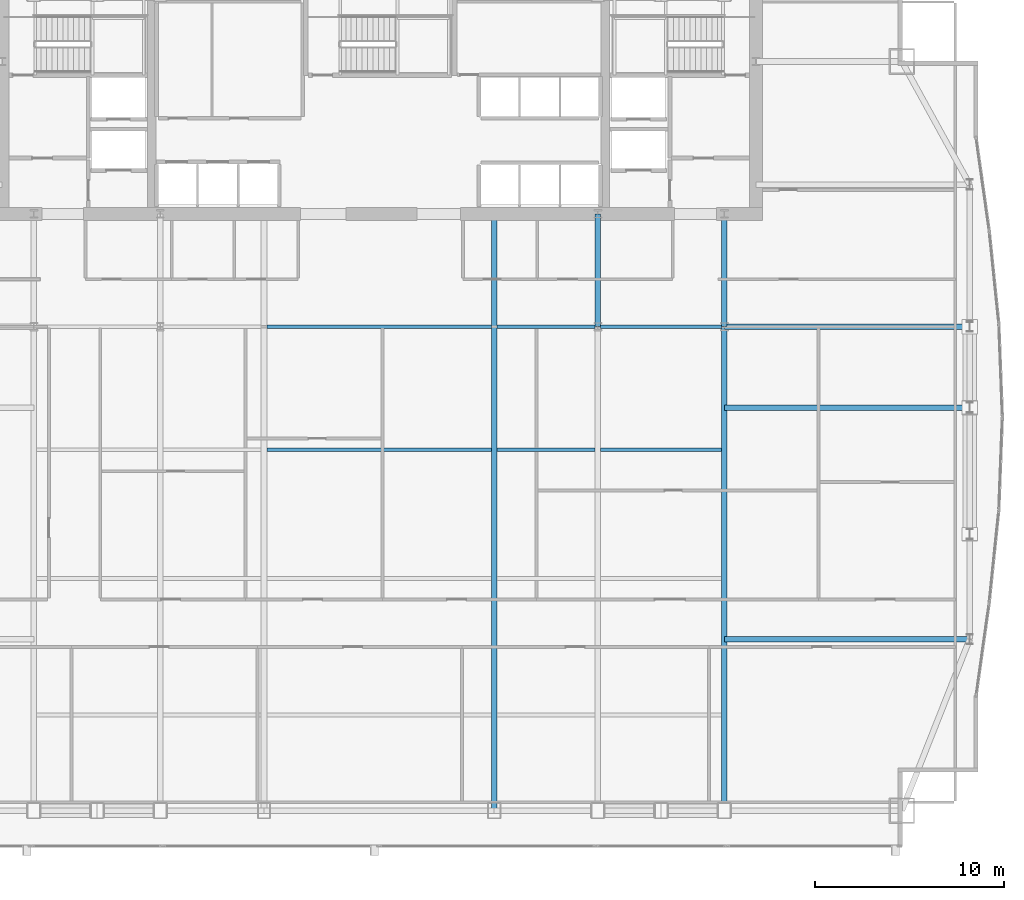
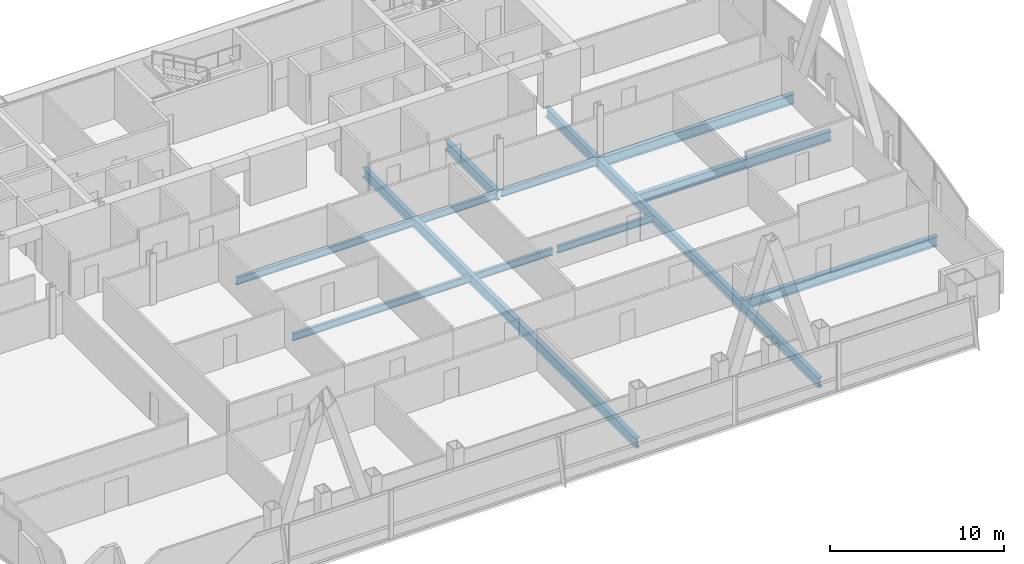
# One storey, part 16 of 30: 13 beams.
"""IFC4 building model written with IfcOpenShell, lengths in metres."""

from ifc_helpers import new_model, si_unit, direction, frame, origin, origin_2d, place, context, subcontext, project, spatial, i_section, extrude, material, material_profile, profile_set, type_object, element, save


model = new_model("IFC4")

# Units and contexts
model_context = context("Model", 3, precision=1e-05, world=origin(), true_north=direction((0.0, 1.0)))
body_context = subcontext(model_context, "Body", "Model", "MODEL_VIEW")
ifc_project = project(units=[si_unit("LENGTHUNIT", "METRE"), si_unit("AREAUNIT", "SQUARE_METRE"), si_unit("VOLUMEUNIT", "CUBIC_METRE"), si_unit("PLANEANGLEUNIT", "RADIAN"), si_unit("MASSUNIT", "GRAM", prefix="KILO")], contexts=[model_context])

# Site, building, storey
site_placement = place(None, origin())
site = spatial("IfcSite", under=ifc_project, at=site_placement, CompositionType="ELEMENT")
building_placement = place(site_placement, origin())
building = spatial("IfcBuilding", under=site, at=building_placement, Name="Khoronbel Lancet Exchange", CompositionType="ELEMENT")
storey_placement = place(building_placement, frame((0.0, 0.0, 147.0)))
storey = spatial("IfcBuildingStorey", under=building, at=storey_placement, Name="L36", CompositionType="ELEMENT", Elevation=147.0)

# Beams
ifc_material = material(Name="Steel S355", Category="steel")
ifc_material_profile_1 = material_profile(ifc_material, i_section(OverallWidth=0.300048828125, OverallDepth=0.699951171875, WebThickness=0.01708984375, FlangeThickness=0.031982421875, at=origin_2d()), Name="HEB 700")
ifc_profile_set_1 = profile_set([ifc_material_profile_1], Name="Steel S355")
beam_type_1 = type_object("IfcBeamType", Name="BM-BG3", PredefinedType="BEAM", material=ifc_profile_set_1)
beam_1_placement = place(storey_placement, frame((42.52490234375, 10.14990234375, -0.510009765625), z_axis=(0.0, 1.0, 0.0), x_axis=(-1.0, 0.0, 0.0)))
element("IfcBeam", 1, at=beam_1_placement, inside=storey, type_object=beam_type_1, Name="Level L36 primary floor girder G4", PredefinedType="BEAM", context=body_context, shape_type="SweptSolid", body=[
    extrude(i_section(OverallWidth=0.300048828125, OverallDepth=0.699951171875, WebThickness=0.01708984375, FlangeThickness=0.031982421875, at=origin_2d()), origin(), (0.0, 0.0, 1.0), 31.5),
])
beam_2_placement = place(storey_placement, frame((48.0, 35.699951171875, -0.510009765625), z_axis=(0.0, 1.0, 0.0), x_axis=(-1.0, 0.0, 0.0)))
element("IfcBeam", 2, at=beam_2_placement, inside=storey, type_object=beam_type_1, Name="Level L36 spine tie girder GN5", PredefinedType="BEAM", context=body_context, shape_type="SweptSolid", body=[
    extrude(i_section(OverallWidth=0.300048828125, OverallDepth=0.699951171875, WebThickness=0.01708984375, FlangeThickness=0.031982421875, at=origin_2d()), origin(), (0.0, 0.0, 1.0), 5.949951171875),
])
beam_3_placement = place(storey_placement, frame((54.675048828125, 10.14990234375, -0.510009765625), z_axis=(0.0, 1.0, 0.0), x_axis=(-1.0, 0.0, 0.0)))
element("IfcBeam", 3, at=beam_3_placement, inside=storey, type_object=beam_type_1, Name="Level L36 south primary girder GS6", PredefinedType="BEAM", context=body_context, shape_type="SweptSolid", body=[
    extrude(i_section(OverallWidth=0.300048828125, OverallDepth=0.699951171875, WebThickness=0.01708984375, FlangeThickness=0.031982421875, at=origin_2d()), origin(), (0.0, 0.0, 1.0), 25.550048828125),
])
beam_4_placement = place(storey_placement, frame((54.675048828125, 35.699951171875, -0.510009765625), z_axis=(0.0, 1.0, 0.0), x_axis=(-1.0, 0.0, 0.0)))
element("IfcBeam", 4, at=beam_4_placement, inside=storey, type_object=beam_type_1, Name="Level L36 spine tie girder GN6", PredefinedType="BEAM", context=body_context, shape_type="SweptSolid", body=[
    extrude(i_section(OverallWidth=0.300048828125, OverallDepth=0.699951171875, WebThickness=0.01708984375, FlangeThickness=0.031982421875, at=origin_2d()), origin(), (0.0, 0.0, 1.0), 5.949951171875),
])
for number, where, z_axis, x_axis, name in (
    (5, (54.675048828125, 19.199951171875, -0.510009765625), (1.0, 0.0, 0.0), (0.0, 1.0, 0.0), "Level L36 east lens tie girder LG1E"),
    (6, (54.675048828125, 31.425048828125, -0.510009765625), (1.0, 0.0, 0.0), (0.0, 1.0, 0.0), "Level L36 east lens tie girder LG2E"),
    (7, (54.675048828125, 35.699951171875, -0.510009765625), (1.0, 0.0, 0.0), (0.0, 1.0, 0.0), "Level L36 east lens tie girder LG4E"),
):
    element("IfcBeam", number, at=place(storey_placement, frame(where, z_axis=z_axis, x_axis=x_axis)), inside=storey, type_object=beam_type_1, Name=name, PredefinedType="BEAM", context=body_context, shape_type="SweptSolid", body=[
        extrude(i_section(OverallWidth=0.300048828125, OverallDepth=0.699951171875, WebThickness=0.01708984375, FlangeThickness=0.031982421875, at=origin_2d()), origin(), (0.0, 0.0, 1.0), 12.954833984375),
    ])
ifc_material_profile_2 = material_profile(ifc_material, i_section(OverallWidth=0.199951171875, OverallDepth=0.5, WebThickness=0.01025390625, FlangeThickness=0.01611328125, at=origin_2d()), Name="IPE 500")
ifc_profile_set_2 = profile_set([ifc_material_profile_2], Name="Steel S355")
beam_type_2 = type_object("IfcBeamType", Name="BM-BJ3", PredefinedType="JOIST", material=ifc_profile_set_2)
beam_5_placement = place(storey_placement, frame((30.52490234375, 29.199951171875, -0.409912109375), z_axis=(1.0, 0.0, 0.0), x_axis=(0.0, 1.0, 0.0)))
element("IfcBeam", 8, at=beam_5_placement, inside=storey, type_object=beam_type_2, Name="Level L36 secondary composite joist J13", PredefinedType="JOIST", context=body_context, shape_type="SweptSolid", body=[
    extrude(i_section(OverallWidth=0.199951171875, OverallDepth=0.5, WebThickness=0.01025390625, FlangeThickness=0.01611328125, at=origin_2d()), origin(), (0.0, 0.0, 1.0), 11.85009765625),
])
beam_6_placement = place(storey_placement, frame((42.675048828125, 29.199951171875, -0.409912109375), z_axis=(1.0, 0.0, 0.0), x_axis=(0.0, 1.0, 0.0)))
element("IfcBeam", 9, at=beam_6_placement, inside=storey, type_object=beam_type_2, Name="Level L36 secondary composite joist J14", PredefinedType="JOIST", context=body_context, shape_type="SweptSolid", body=[
    extrude(i_section(OverallWidth=0.199951171875, OverallDepth=0.5, WebThickness=0.01025390625, FlangeThickness=0.01611328125, at=origin_2d()), origin(), (0.0, 0.0, 1.0), 5.175048828125),
])
beam_7_placement = place(storey_placement, frame((48.14990234375, 29.199951171875, -0.409912109375), z_axis=(1.0, 0.0, 0.0), x_axis=(0.0, 1.0, 0.0)))
element("IfcBeam", 10, at=beam_7_placement, inside=storey, type_object=beam_type_2, Name="Level L36 secondary composite joist J15", PredefinedType="JOIST", context=body_context, shape_type="SweptSolid", body=[
    extrude(i_section(OverallWidth=0.199951171875, OverallDepth=0.5, WebThickness=0.01025390625, FlangeThickness=0.01611328125, at=origin_2d()), origin(), (0.0, 0.0, 1.0), 6.375),
])
beam_8_placement = place(storey_placement, frame((30.52490234375, 35.699951171875, -0.409912109375), z_axis=(1.0, 0.0, 0.0), x_axis=(0.0, 1.0, 0.0)))
element("IfcBeam", 11, at=beam_8_placement, inside=storey, type_object=beam_type_2, Name="Level L36 secondary composite joist J18", PredefinedType="JOIST", context=body_context, shape_type="SweptSolid", body=[
    extrude(i_section(OverallWidth=0.199951171875, OverallDepth=0.5, WebThickness=0.01025390625, FlangeThickness=0.01611328125, at=origin_2d()), origin(), (0.0, 0.0, 1.0), 11.85009765625),
])
beam_9_placement = place(storey_placement, frame((42.675048828125, 35.699951171875, -0.409912109375), z_axis=(1.0, 0.0, 0.0), x_axis=(0.0, 1.0, 0.0)))
element("IfcBeam", 12, at=beam_9_placement, inside=storey, type_object=beam_type_2, Name="Level L36 secondary composite joist J19", PredefinedType="JOIST", context=body_context, shape_type="SweptSolid", body=[
    extrude(i_section(OverallWidth=0.199951171875, OverallDepth=0.5, WebThickness=0.01025390625, FlangeThickness=0.01611328125, at=origin_2d()), origin(), (0.0, 0.0, 1.0), 5.175048828125),
])
beam_10_placement = place(storey_placement, frame((48.14990234375, 35.699951171875, -0.409912109375), z_axis=(1.0, 0.0, 0.0), x_axis=(0.0, 1.0, 0.0)))
element("IfcBeam", 13, at=beam_10_placement, inside=storey, type_object=beam_type_2, Name="Level L36 secondary composite joist J20", PredefinedType="JOIST", context=body_context, shape_type="SweptSolid", body=[
    extrude(i_section(OverallWidth=0.199951171875, OverallDepth=0.5, WebThickness=0.01025390625, FlangeThickness=0.01611328125, at=origin_2d()), origin(), (0.0, 0.0, 1.0), 6.375),
])

save(model, "model.ifc")
